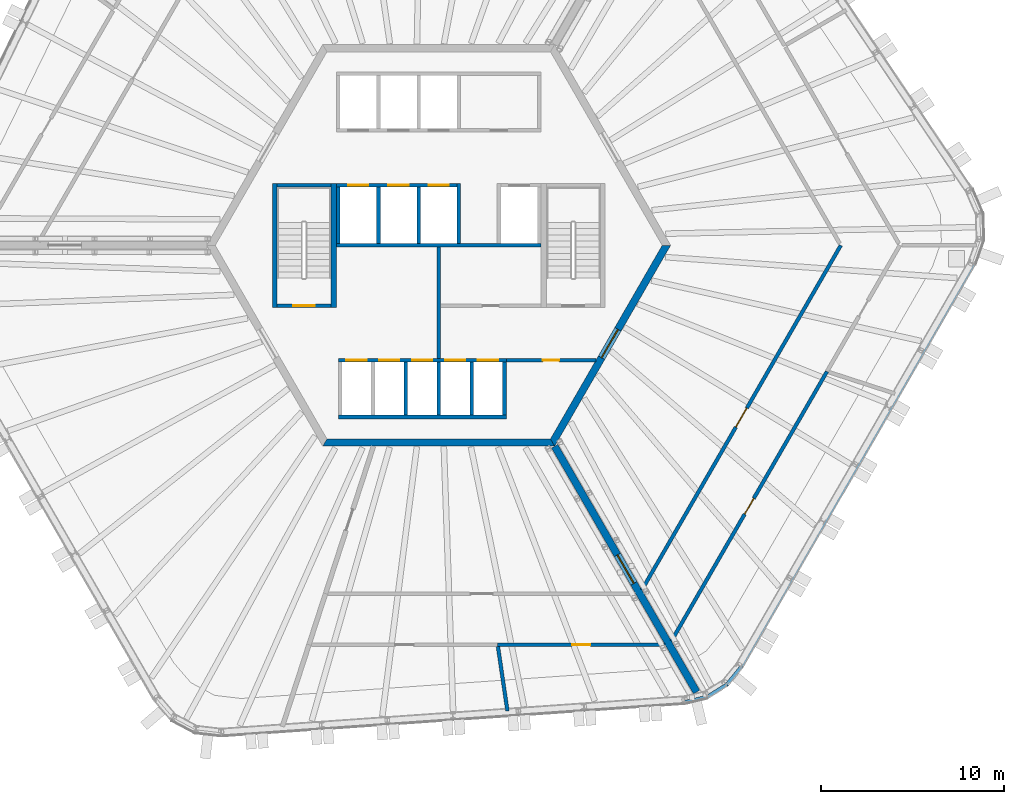
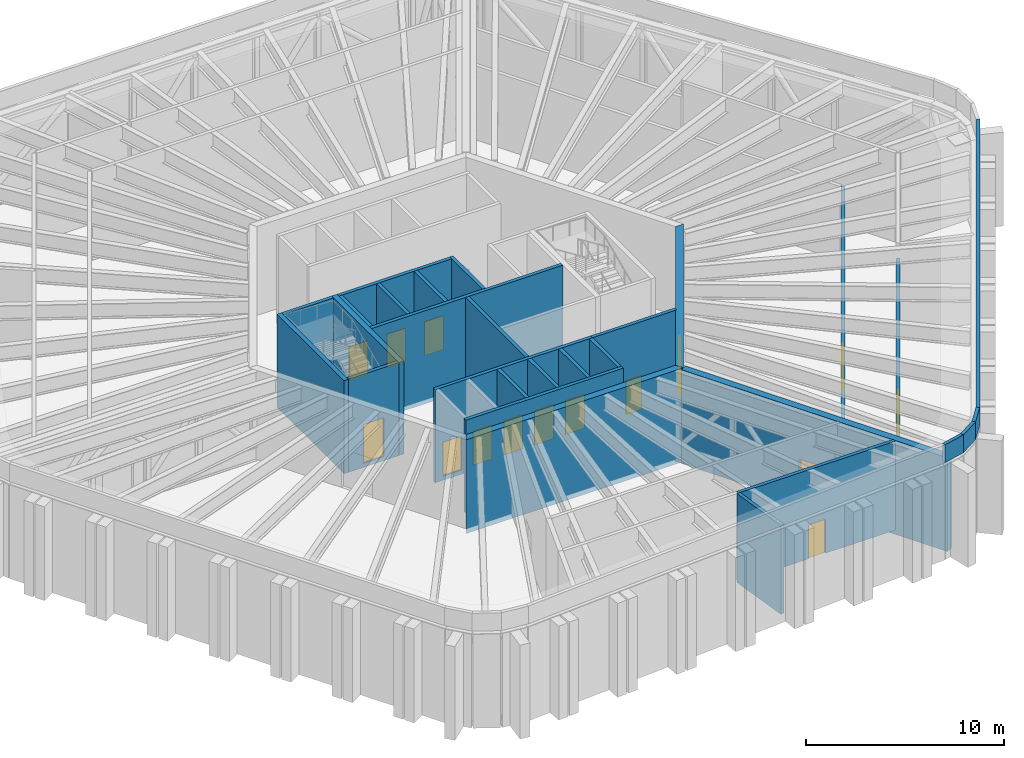
# One storey, part 10 of 19: 29 walls, 15 doors, 15 openings.
"""IFC4 building model written with IfcOpenShell, lengths in metres."""

from ifc_helpers import new_model, si_unit, direction, frame, frame_2d, origin, place, context, subcontext, project, spatial, polyline, rectangle, outline, extrude, material, layer, layer_set, type_object, element, fill, save


model = new_model("IFC4")

# Units and contexts
model_context = context("Model", 3, precision=1e-05, world=origin(), true_north=direction((0.0, 1.0)))
body_context = subcontext(model_context, "Body", "Model", "MODEL_VIEW")
ifc_project = project(units=[si_unit("LENGTHUNIT", "METRE"), si_unit("AREAUNIT", "SQUARE_METRE"), si_unit("VOLUMEUNIT", "CUBIC_METRE"), si_unit("PLANEANGLEUNIT", "RADIAN"), si_unit("MASSUNIT", "GRAM", prefix="KILO")], contexts=[model_context])

# Site, building, storey
site_placement = place(None, origin())
site = spatial("IfcSite", under=ifc_project, at=site_placement, CompositionType="ELEMENT")
building_placement = place(site_placement, origin())
building = spatial("IfcBuilding", under=site, at=building_placement, Name="Tarnside Tower", CompositionType="ELEMENT")
storey_placement = place(building_placement, frame((0.0, 0.0, 343.5)))
storey = spatial("IfcBuildingStorey", under=building, at=storey_placement, Name="L83", CompositionType="ELEMENT", Elevation=343.5)

# Wall
ifc_material_1 = material(Name="Concrete C40/50", Category="concrete")
ifc_layer_1 = layer(ifc_material_1, 0.199951171875)
ifc_layer_set_1 = layer_set([ifc_layer_1], Name="Core room partition 200 C40/50")
wall_type_1 = type_object("IfcWallType", Name="Core room partition 200 C40/50", PredefinedType="PARTITIONING", material=ifc_layer_set_1)
wall_1_placement = place(storey_placement, frame((0.0, -6.199951171875, 0.0), z_axis=(0.0, 0.0, 1.0), x_axis=(0.0, 1.0, 0.0)))
element("IfcWall", 1, at=wall_1_placement, inside=storey, type_object=wall_type_1, Name="L83 core partition X0", PredefinedType="PARTITIONING", context=body_context, shape_type="SweptSolid", body=[
    extrude(rectangle(XDim=6.099853515625, YDim=0.199951171875, at=frame_2d((3.0498046875, 0.0))), origin(), (0.0, 0.0, 1.0), 5.5),
])

# Wall, opening, door
wall_2_placement = place(storey_placement, frame((3.699951171875, -6.300048828125, 0.0), z_axis=(0.0, 0.0, 1.0), x_axis=(1.0, 0.0, 0.0)))
wall_2 = element("IfcWall", 2, at=wall_2_placement, inside=storey, type_object=wall_type_1, Name="L83 core partition R4X", PredefinedType="PARTITIONING", context=body_context, shape_type="SweptSolid", body=[
    extrude(rectangle(XDim=4.902587890625, YDim=0.199951171875, at=frame_2d((2.451171875, 0.0))), origin(), (0.0, 0.0, 1.0), 5.5),
])
opening_1_placement = place(wall_2_placement, frame((2.001220703125, 0.0, 0.0)))
opening_1 = element("IfcOpeningElement", 3, at=opening_1_placement, cuts=wall_2, Name="Opening CD-room", PredefinedType="OPENING", context=body_context, shape_type="SweptSolid", body=[
    extrude(rectangle(XDim=0.89990234375, YDim=2.10009765625, at=frame_2d((0.449951171875, 1.050048828125))), frame((0.0, 0.10986328125, 0.0), z_axis=(0.0, -1.0, 0.0), x_axis=(1.0, 0.0, 0.0)), (0.0, 0.0, 1.0), 0.219970703125),
])
ifc_material_2 = material(Name="Steel fire door", Category="steel")
door_type_1 = type_object("IfcDoorType", Name="Room door FD60 900x2100", OperationType="NOTDEFINED", PredefinedType="DOOR", material=ifc_material_2)
door_1_placement = place(opening_1_placement, origin())
door_1 = element("IfcDoor", 4, at=door_1_placement, inside=storey, type_object=door_type_1, Name="L83 core room door RX", OperationType="SINGLE_SWING_LEFT", OverallHeight=2.10009765625, OverallWidth=0.89990234375, PredefinedType="DOOR", context=body_context, shape_type="SweptSolid", body=[
    extrude(rectangle(XDim=0.89990234375, YDim=2.10009765625, at=frame_2d((0.449951171875, 1.050048828125))), frame((0.0, 0.02490234375, 0.0), z_axis=(0.0, -1.0, 0.0), x_axis=(1.0, 0.0, 0.0)), (0.0, 0.0, 1.0), 0.050048828125),
])
fill(opening_1, door_1)

# Wall
ifc_material_3 = material(Name="Concrete C60/75", Category="concrete")
ifc_layer_2 = layer(ifc_material_3, 0.39990234375)
ifc_layer_set_2 = layer_set([ifc_layer_2], Name="Core wall Z3 400 C60/75")
wall_type_2 = type_object("IfcWallType", Name="Core wall Z3 400 C60/75", PredefinedType="SHEAR", material=ifc_layer_set_2)
wall_3_placement = place(storey_placement, frame((-6.2353515625, -10.800048828125, -0.300048828125), z_axis=(0.0, 0.0, 1.0), x_axis=(1.0, 0.0, 0.0)))
element("IfcWall", 5, at=wall_3_placement, inside=storey, type_object=wall_type_2, Name="L83 core wall face 4", PredefinedType="SHEAR", context=body_context, shape_type="SweptSolid", body=[
    extrude(outline(polyline([(-0.115478515625, -0.199951171875), (12.586181640625, -0.199951171875), (12.355224609375, 0.199951171875), (0.115478515625, 0.199951171875), (-0.115478515625, -0.199951171875)])), origin(), (0.0, 0.0, 1.0), 5.800048828125),
])

# Wall, opening, door
wall_4_placement = place(storey_placement, frame((6.2353515625, -10.800048828125, -0.300048828125), z_axis=(0.0, 0.0, 1.0), x_axis=(0.499996419489, 0.866027470984, 0.0)))
wall_4 = element("IfcWall", 6, at=wall_4_placement, inside=storey, type_object=wall_type_2, Name="L83 core wall face 5", PredefinedType="SHEAR", context=body_context, shape_type="SweptSolid", body=[
    extrude(outline(polyline([(-0.115478515625, -0.199951171875), (12.586181640625, -0.199951171875), (12.355224609375, 0.199951171875), (0.115478515625, 0.199951171875), (-0.115478515625, -0.199951171875)])), origin(), (0.0, 0.0, 1.0), 5.800048828125),
])
opening_2_placement = place(wall_4_placement, frame((5.3642578125, 0.0, 0.300048828125)))
opening_2 = element("IfcOpeningElement", 7, at=opening_2_placement, cuts=wall_4, Name="Opening CD-FFL", PredefinedType="OPENING", context=body_context, shape_type="SweptSolid", body=[
    extrude(rectangle(XDim=1.800048828125, YDim=2.39990234375, at=frame_2d((0.89990234375, 1.199951171875))), frame((0.0, 0.2099609375, 0.0), z_axis=(0.0, -1.0, 0.0), x_axis=(1.0, 0.0, 0.0)), (0.0, 0.0, 1.0), 0.419921875),
])
door_type_2 = type_object("IfcDoorType", Name="Firefighting lobby double door FD60S 1800x2400", OperationType="NOTDEFINED", PredefinedType="DOOR", material=ifc_material_2)
door_2_placement = place(opening_2_placement, origin())
door_2 = element("IfcDoor", 8, at=door_2_placement, inside=storey, type_object=door_type_2, Name="L83 core door P4", OperationType="DOUBLE_DOOR_SINGLE_SWING", OverallHeight=2.39990234375, OverallWidth=1.800048828125, PredefinedType="DOOR", context=body_context, shape_type="SweptSolid", body=[
    extrude(rectangle(XDim=1.800048828125, YDim=2.39990234375, at=frame_2d((0.89990234375, 1.199951171875))), frame((0.0, 0.02490234375, 0.0), z_axis=(0.0, -1.0, 0.0), x_axis=(1.0, 0.0, 0.0)), (0.0, 0.0, 1.0), 0.050048828125),
])
fill(opening_2, door_2)

wall_5_placement = place(storey_placement, frame((6.350830078125, -11.0, -0.300048828125), z_axis=(0.0, 0.0, 1.0), x_axis=(0.499998894578, -0.866026041999, 0.0)))
wall_5 = element("IfcWall", 9, at=wall_5_placement, inside=storey, type_object=wall_type_2, Name="L83 spine wall 3", PredefinedType="SHEAR", context=body_context, shape_type="SweptSolid", body=[
    extrude(rectangle(XDim=15.54443359375, YDim=0.39990234375, at=frame_2d((7.772216796875, 0.0))), origin(), (0.0, 0.0, 1.0), 5.800048828125),
])
opening_3_placement = place(wall_5_placement, frame((6.872314453125, 0.0, 0.300048828125)))
opening_3 = element("IfcOpeningElement", 10, at=opening_3_placement, cuts=wall_5, Name="Opening CD-SPN", PredefinedType="OPENING", context=body_context, shape_type="SweptSolid", body=[
    extrude(rectangle(XDim=1.800048828125, YDim=2.39990234375, at=frame_2d((0.89990234375, 1.199951171875))), frame((0.0, 0.2099609375, 0.0), z_axis=(0.0, -1.0, 0.0), x_axis=(1.0, 0.0, 0.0)), (0.0, 0.0, 1.0), 0.419921875),
])
door_type_3 = type_object("IfcDoorType", Name="Spine passage double door FD60 1800x2400", OperationType="NOTDEFINED", PredefinedType="DOOR", material=ifc_material_2)
door_3_placement = place(opening_3_placement, origin())
door_3 = element("IfcDoor", 11, at=door_3_placement, inside=storey, type_object=door_type_3, Name="L83 spine passage door 3", OperationType="DOUBLE_DOOR_SINGLE_SWING", OverallHeight=2.39990234375, OverallWidth=1.800048828125, PredefinedType="DOOR", context=body_context, shape_type="SweptSolid", body=[
    extrude(rectangle(XDim=1.800048828125, YDim=2.39990234375, at=frame_2d((0.89990234375, 1.199951171875))), frame((0.0, 0.02490234375, 0.0), z_axis=(0.0, -1.0, 0.0), x_axis=(1.0, 0.0, 0.0)), (0.0, 0.0, 1.0), 0.050048828125),
])
fill(opening_3, door_3)

# Wall, openings, doors
ifc_layer_3 = layer(ifc_material_1, 0.199951171875)
ifc_layer_set_3 = layer_set([ifc_layer_3], Name="Lift shaft wall 200 C40/50")
wall_type_3 = type_object("IfcWallType", Name="Lift shaft wall 200 C40/50", PredefinedType="SHEAR", material=ifc_layer_set_3)
wall_6_placement = place(storey_placement, frame((-5.60009765625, 3.300048828125, -0.25), z_axis=(0.0, 0.0, 1.0), x_axis=(1.0, 0.0, 0.0)))
wall_6 = element("IfcWall", 12, at=wall_6_placement, inside=storey, type_object=wall_type_3, Name="L83 lift shaft front wall R2", PredefinedType="SHEAR", context=body_context, shape_type="SweptSolid", body=[
    extrude(rectangle(XDim=6.60009765625, YDim=0.199951171875, at=frame_2d((3.300048828125, 0.0))), origin(), (0.0, 0.0, 1.0), 5.75),
])
opening_4_placement = place(wall_6_placement, frame((0.64990234375, 0.0, 0.25)))
opening_4 = element("IfcOpeningElement", 13, at=opening_4_placement, cuts=wall_6, Name="Opening LD", PredefinedType="OPENING", context=body_context, shape_type="SweptSolid", body=[
    extrude(rectangle(XDim=1.10009765625, YDim=2.10009765625, at=frame_2d((0.550048828125, 1.050048828125))), frame((0.0, 0.10986328125, 0.0), z_axis=(0.0, -1.0, 0.0), x_axis=(1.0, 0.0, 0.0)), (0.0, 0.0, 1.0), 0.219970703125),
])
opening_5_placement = place(wall_6_placement, frame((2.85009765625, 0.0, 0.25)))
opening_5 = element("IfcOpeningElement", 14, at=opening_5_placement, cuts=wall_6, Name="Opening LD", PredefinedType="OPENING", context=body_context, shape_type="SweptSolid", body=[
    extrude(rectangle(XDim=1.10009765625, YDim=2.10009765625, at=frame_2d((0.550048828125, 1.050048828125))), frame((0.0, 0.10986328125, 0.0), z_axis=(0.0, -1.0, 0.0), x_axis=(1.0, 0.0, 0.0)), (0.0, 0.0, 1.0), 0.219970703125),
])
opening_6_placement = place(wall_6_placement, frame((5.050048828125, 0.0, 0.25)))
opening_6 = element("IfcOpeningElement", 15, at=opening_6_placement, cuts=wall_6, Name="Opening LD", PredefinedType="OPENING", context=body_context, shape_type="SweptSolid", body=[
    extrude(rectangle(XDim=1.10009765625, YDim=2.10009765625, at=frame_2d((0.550048828125, 1.050048828125))), frame((0.0, 0.10986328125, 0.0), z_axis=(0.0, -1.0, 0.0), x_axis=(1.0, 0.0, 0.0)), (0.0, 0.0, 1.0), 0.219970703125),
])
ifc_material_4 = material(Name="Stainless steel", Category="steel")
door_type_4 = type_object("IfcDoorType", Name="Lift landing door 1100x2100", OperationType="NOTDEFINED", PredefinedType="DOOR", material=ifc_material_4)
door_4_placement = place(opening_4_placement, origin())
door_4 = element("IfcDoor", 16, at=door_4_placement, inside=storey, type_object=door_type_4, Name="High-rise lift 4 landing door L83", OperationType="SLIDING_TO_LEFT", OverallHeight=2.10009765625, OverallWidth=1.10009765625, PredefinedType="DOOR", context=body_context, shape_type="SweptSolid", body=[
    extrude(rectangle(XDim=1.10009765625, YDim=2.10009765625, at=frame_2d((0.550048828125, 1.050048828125))), frame((0.0, 0.02490234375, 0.0), z_axis=(0.0, -1.0, 0.0), x_axis=(1.0, 0.0, 0.0)), (0.0, 0.0, 1.0), 0.050048828125),
])
fill(opening_4, door_4)
door_5_placement = place(opening_5_placement, origin())
door_5 = element("IfcDoor", 17, at=door_5_placement, inside=storey, type_object=door_type_4, Name="High-rise lift 5 landing door L83", OperationType="SLIDING_TO_LEFT", OverallHeight=2.10009765625, OverallWidth=1.10009765625, PredefinedType="DOOR", context=body_context, shape_type="SweptSolid", body=[
    extrude(rectangle(XDim=1.10009765625, YDim=2.10009765625, at=frame_2d((0.550048828125, 1.050048828125))), frame((0.0, 0.02490234375, 0.0), z_axis=(0.0, -1.0, 0.0), x_axis=(1.0, 0.0, 0.0)), (0.0, 0.0, 1.0), 0.050048828125),
])
fill(opening_5, door_5)
door_6_placement = place(opening_6_placement, origin())
door_6 = element("IfcDoor", 18, at=door_6_placement, inside=storey, type_object=door_type_4, Name="High-rise lift 6 landing door L83", OperationType="SLIDING_TO_LEFT", OverallHeight=2.10009765625, OverallWidth=1.10009765625, PredefinedType="DOOR", context=body_context, shape_type="SweptSolid", body=[
    extrude(rectangle(XDim=1.10009765625, YDim=2.10009765625, at=frame_2d((0.550048828125, 1.050048828125))), frame((0.0, 0.02490234375, 0.0), z_axis=(0.0, -1.0, 0.0), x_axis=(1.0, 0.0, 0.0)), (0.0, 0.0, 1.0), 0.050048828125),
])
fill(opening_6, door_6)

# Walls
wall_7_placement = place(storey_placement, frame((-5.60009765625, 0.0, -0.25), z_axis=(0.0, 0.0, 1.0), x_axis=(1.0, 0.0, 0.0)))
element("IfcWall", 19, at=wall_7_placement, inside=storey, type_object=wall_type_3, Name="L83 lift shaft back wall R2", PredefinedType="SHEAR", context=body_context, shape_type="SweptSolid", body=[
    extrude(rectangle(XDim=11.2001953125, YDim=0.199951171875, at=frame_2d((5.60009765625, 0.0))), origin(), (0.0, 0.0, 1.0), 5.75),
])
for number, where, z_axis, x_axis, name in (
    (20, (-5.5, 0.10009765625, -0.25), (0.0, 0.0, 1.0), (0.0, 1.0, 0.0), "L83 lift shaft partition R21"),
    (21, (-3.300048828125, 0.10009765625, -0.25), (0.0, 0.0, 1.0), (0.0, 1.0, 0.0), "L83 lift shaft partition R22"),
    (22, (-1.10009765625, 0.10009765625, -0.25), (0.0, 0.0, 1.0), (0.0, 1.0, 0.0), "L83 lift shaft partition R23"),
):
    element("IfcWall", number, at=place(storey_placement, frame(where, z_axis=z_axis, x_axis=x_axis)), inside=storey, type_object=wall_type_3, Name=name, PredefinedType="SHEAR", context=body_context, shape_type="SweptSolid", body=[
        extrude(rectangle(XDim=3.099853515625, YDim=0.199951171875, at=frame_2d((1.5498046875, 0.0))), origin(), (0.0, 0.0, 1.0), 5.75),
    ])
wall_8_placement = place(storey_placement, frame((1.10009765625, 0.10009765625, -0.25), z_axis=(0.0, 0.0, 1.0), x_axis=(0.0, 1.0, 0.0)))
element("IfcWall", 23, at=wall_8_placement, inside=storey, type_object=wall_type_3, Name="L83 lift shaft partition R24", PredefinedType="SHEAR", context=body_context, shape_type="SweptSolid", body=[
    extrude(rectangle(XDim=3.2998046875, YDim=0.199951171875, at=frame_2d((1.64990234375, 0.0))), origin(), (0.0, 0.0, 1.0), 5.75),
])

# Wall, openings, doors
wall_9_placement = place(storey_placement, frame((-5.5, -6.300048828125, -0.25), z_axis=(0.0, 0.0, 1.0), x_axis=(1.0, 0.0, 0.0)))
wall_9 = element("IfcWall", 24, at=wall_9_placement, inside=storey, type_object=wall_type_3, Name="L83 lift shaft front wall R4", PredefinedType="SHEAR", context=body_context, shape_type="SweptSolid", body=[
    extrude(rectangle(XDim=9.199951171875, YDim=0.199951171875, at=frame_2d((4.60009765625, 0.0))), origin(), (0.0, 0.0, 1.0), 5.75),
])
opening_7_placement = place(wall_9_placement, frame((0.449951171875, 0.0, 0.25)))
opening_7 = element("IfcOpeningElement", 25, at=opening_7_placement, cuts=wall_9, Name="Opening LDF", PredefinedType="OPENING", context=body_context, shape_type="SweptSolid", body=[
    extrude(rectangle(XDim=1.10009765625, YDim=2.10009765625, at=frame_2d((0.550048828125, 1.050048828125))), frame((0.0, 0.10986328125, 0.0), z_axis=(0.0, -1.0, 0.0), x_axis=(1.0, 0.0, 0.0)), (0.0, 0.0, 1.0), 0.219970703125),
])
opening_8_placement = place(wall_9_placement, frame((2.25, 0.0, 0.25)))
opening_8 = element("IfcOpeningElement", 26, at=opening_8_placement, cuts=wall_9, Name="Opening LDF", PredefinedType="OPENING", context=body_context, shape_type="SweptSolid", body=[
    extrude(rectangle(XDim=1.10009765625, YDim=2.10009765625, at=frame_2d((0.550048828125, 1.050048828125))), frame((0.0, 0.10986328125, 0.0), z_axis=(0.0, -1.0, 0.0), x_axis=(1.0, 0.0, 0.0)), (0.0, 0.0, 1.0), 0.219970703125),
])
opening_9_placement = place(wall_9_placement, frame((4.050048828125, 0.0, 0.25)))
opening_9 = element("IfcOpeningElement", 27, at=opening_9_placement, cuts=wall_9, Name="Opening LDF", PredefinedType="OPENING", context=body_context, shape_type="SweptSolid", body=[
    extrude(rectangle(XDim=1.10009765625, YDim=2.10009765625, at=frame_2d((0.550048828125, 1.050048828125))), frame((0.0, 0.10986328125, 0.0), z_axis=(0.0, -1.0, 0.0), x_axis=(1.0, 0.0, 0.0)), (0.0, 0.0, 1.0), 0.219970703125),
])
opening_10_placement = place(wall_9_placement, frame((5.85009765625, 0.0, 0.25)))
opening_10 = element("IfcOpeningElement", 28, at=opening_10_placement, cuts=wall_9, Name="Opening LDF", PredefinedType="OPENING", context=body_context, shape_type="SweptSolid", body=[
    extrude(rectangle(XDim=1.10009765625, YDim=2.10009765625, at=frame_2d((0.550048828125, 1.050048828125))), frame((0.0, 0.10986328125, 0.0), z_axis=(0.0, -1.0, 0.0), x_axis=(1.0, 0.0, 0.0)), (0.0, 0.0, 1.0), 0.219970703125),
])
opening_11_placement = place(wall_9_placement, frame((7.64990234375, 0.0, 0.25)))
opening_11 = element("IfcOpeningElement", 29, at=opening_11_placement, cuts=wall_9, Name="Opening LDF", PredefinedType="OPENING", context=body_context, shape_type="SweptSolid", body=[
    extrude(rectangle(XDim=1.10009765625, YDim=2.10009765625, at=frame_2d((0.550048828125, 1.050048828125))), frame((0.0, 0.10986328125, 0.0), z_axis=(0.0, -1.0, 0.0), x_axis=(1.0, 0.0, 0.0)), (0.0, 0.0, 1.0), 0.219970703125),
])
door_type_5 = type_object("IfcDoorType", Name="Lift landing door 1100x2100 EI 120", OperationType="NOTDEFINED", PredefinedType="DOOR", material=ifc_material_4)
door_7_placement = place(opening_7_placement, origin())
door_7 = element("IfcDoor", 30, at=door_7_placement, inside=storey, type_object=door_type_5, Name="Firefighting lift 1 landing door L83", OperationType="SLIDING_TO_LEFT", OverallHeight=2.10009765625, OverallWidth=1.10009765625, PredefinedType="DOOR", context=body_context, shape_type="SweptSolid", body=[
    extrude(rectangle(XDim=1.10009765625, YDim=2.10009765625, at=frame_2d((0.550048828125, 1.050048828125))), frame((0.0, 0.02490234375, 0.0), z_axis=(0.0, -1.0, 0.0), x_axis=(1.0, 0.0, 0.0)), (0.0, 0.0, 1.0), 0.050048828125),
])
fill(opening_7, door_7)
door_8_placement = place(opening_8_placement, origin())
door_8 = element("IfcDoor", 31, at=door_8_placement, inside=storey, type_object=door_type_5, Name="Firefighting lift 2 landing door L83", OperationType="SLIDING_TO_LEFT", OverallHeight=2.10009765625, OverallWidth=1.10009765625, PredefinedType="DOOR", context=body_context, shape_type="SweptSolid", body=[
    extrude(rectangle(XDim=1.10009765625, YDim=2.10009765625, at=frame_2d((0.550048828125, 1.050048828125))), frame((0.0, 0.02490234375, 0.0), z_axis=(0.0, -1.0, 0.0), x_axis=(1.0, 0.0, 0.0)), (0.0, 0.0, 1.0), 0.050048828125),
])
fill(opening_8, door_8)
door_9_placement = place(opening_9_placement, origin())
door_9 = element("IfcDoor", 32, at=door_9_placement, inside=storey, type_object=door_type_5, Name="Firefighting lift 3 landing door L83", OperationType="SLIDING_TO_LEFT", OverallHeight=2.10009765625, OverallWidth=1.10009765625, PredefinedType="DOOR", context=body_context, shape_type="SweptSolid", body=[
    extrude(rectangle(XDim=1.10009765625, YDim=2.10009765625, at=frame_2d((0.550048828125, 1.050048828125))), frame((0.0, 0.02490234375, 0.0), z_axis=(0.0, -1.0, 0.0), x_axis=(1.0, 0.0, 0.0)), (0.0, 0.0, 1.0), 0.050048828125),
])
fill(opening_9, door_9)
door_10_placement = place(opening_10_placement, origin())
door_10 = element("IfcDoor", 33, at=door_10_placement, inside=storey, type_object=door_type_5, Name="Firefighting lift 4 landing door L83", OperationType="SLIDING_TO_LEFT", OverallHeight=2.10009765625, OverallWidth=1.10009765625, PredefinedType="DOOR", context=body_context, shape_type="SweptSolid", body=[
    extrude(rectangle(XDim=1.10009765625, YDim=2.10009765625, at=frame_2d((0.550048828125, 1.050048828125))), frame((0.0, 0.02490234375, 0.0), z_axis=(0.0, -1.0, 0.0), x_axis=(1.0, 0.0, 0.0)), (0.0, 0.0, 1.0), 0.050048828125),
])
fill(opening_10, door_10)
door_11_placement = place(opening_11_placement, origin())
door_11 = element("IfcDoor", 34, at=door_11_placement, inside=storey, type_object=door_type_5, Name="Firefighting lift 5 landing door L83", OperationType="SLIDING_TO_LEFT", OverallHeight=2.10009765625, OverallWidth=1.10009765625, PredefinedType="DOOR", context=body_context, shape_type="SweptSolid", body=[
    extrude(rectangle(XDim=1.10009765625, YDim=2.10009765625, at=frame_2d((0.550048828125, 1.050048828125))), frame((0.0, 0.02490234375, 0.0), z_axis=(0.0, -1.0, 0.0), x_axis=(1.0, 0.0, 0.0)), (0.0, 0.0, 1.0), 0.050048828125),
])
fill(opening_11, door_11)

# Walls
wall_10_placement = place(storey_placement, frame((-5.5, -9.39990234375, -0.25), z_axis=(0.0, 0.0, 1.0), x_axis=(1.0, 0.0, 0.0)))
element("IfcWall", 35, at=wall_10_placement, inside=storey, type_object=wall_type_3, Name="L83 lift shaft back wall R4", PredefinedType="SHEAR", context=body_context, shape_type="SweptSolid", body=[
    extrude(rectangle(XDim=9.199951171875, YDim=0.199951171875, at=frame_2d((4.60009765625, 0.0))), origin(), (0.0, 0.0, 1.0), 5.75),
])
for number, where, z_axis, x_axis, name in (
    (36, (-1.800048828125, -9.300048828125, -0.25), (0.0, 0.0, 1.0), (0.0, 1.0, 0.0), "L83 lift shaft partition R43"),
    (37, (0.0, -9.300048828125, -0.25), (0.0, 0.0, 1.0), (0.0, 1.0, 0.0), "L83 lift shaft partition R44"),
    (38, (1.800048828125, -9.300048828125, -0.25), (0.0, 0.0, 1.0), (0.0, 1.0, 0.0), "L83 lift shaft partition R45"),
    (39, (3.60009765625, -9.300048828125, -0.25), (0.0, 0.0, 1.0), (0.0, 1.0, 0.0), "L83 lift shaft partition R46"),
):
    element("IfcWall", number, at=place(storey_placement, frame(where, z_axis=z_axis, x_axis=x_axis)), inside=storey, type_object=wall_type_3, Name=name, PredefinedType="SHEAR", context=body_context, shape_type="SweptSolid", body=[
        extrude(rectangle(XDim=2.900146484375, YDim=0.199951171875, at=frame_2d((1.4501953125, 0.0))), origin(), (0.0, 0.0, 1.0), 5.75),
    ])
wall_11_placement = place(storey_placement, frame((-8.85009765625, 3.300048828125, -0.25), z_axis=(0.0, 0.0, 1.0), x_axis=(1.0, 0.0, 0.0)))
element("IfcWall", 40, at=wall_11_placement, inside=storey, type_object=wall_type_3, Name="L83 stair 2 enclosure cap wall n", PredefinedType="SHEAR", context=body_context, shape_type="SweptSolid", body=[
    extrude(rectangle(XDim=2.9501953125, YDim=0.199951171875, at=frame_2d((1.47509765625, 0.0))), origin(), (0.0, 0.0, 1.0), 5.75),
])

# Wall, opening, door
wall_12_placement = place(storey_placement, frame((-8.85009765625, -3.300048828125, -0.25), z_axis=(0.0, 0.0, 1.0), x_axis=(1.0, 0.0, 0.0)))
wall_12 = element("IfcWall", 41, at=wall_12_placement, inside=storey, type_object=wall_type_3, Name="L83 stair 2 enclosure cap wall s", PredefinedType="SHEAR", context=body_context, shape_type="SweptSolid", body=[
    extrude(rectangle(XDim=2.9501953125, YDim=0.199951171875, at=frame_2d((1.47509765625, 0.0))), origin(), (0.0, 0.0, 1.0), 5.75),
])
opening_12_placement = place(wall_12_placement, frame((0.875, 0.0, 0.25)))
opening_12 = element("IfcOpeningElement", 42, at=opening_12_placement, cuts=wall_12, Name="Opening CD-STR", PredefinedType="OPENING", context=body_context, shape_type="SweptSolid", body=[
    extrude(rectangle(XDim=1.199951171875, YDim=2.39990234375, at=frame_2d((0.60009765625, 1.199951171875))), frame((0.0, 0.10986328125, 0.0), z_axis=(0.0, -1.0, 0.0), x_axis=(1.0, 0.0, 0.0)), (0.0, 0.0, 1.0), 0.219970703125),
])
door_type_6 = type_object("IfcDoorType", Name="Stair door FD60S 1200x2400", OperationType="NOTDEFINED", PredefinedType="DOOR", material=ifc_material_2)
door_12_placement = place(opening_12_placement, origin())
door_12 = element("IfcDoor", 43, at=door_12_placement, inside=storey, type_object=door_type_6, Name="L83 stair 2 door", OperationType="SINGLE_SWING_LEFT", OverallHeight=2.39990234375, OverallWidth=1.199951171875, PredefinedType="DOOR", context=body_context, shape_type="SweptSolid", body=[
    extrude(rectangle(XDim=1.199951171875, YDim=2.39990234375, at=frame_2d((0.60009765625, 1.199951171875))), frame((0.0, 0.02490234375, 0.0), z_axis=(0.0, -1.0, 0.0), x_axis=(1.0, 0.0, 0.0)), (0.0, 0.0, 1.0), 0.050048828125),
])
fill(opening_12, door_12)

# Walls
ifc_material_5 = material(Name="Concrete C35/45 precast", Category="concrete")
ifc_layer_4 = layer(ifc_material_5, 0.199951171875)
ifc_layer_set_4 = layer_set([ifc_layer_4], Name="Parapet 200 x 1100")
wall_type_4 = type_object("IfcWallType", Name="Parapet 200 x 1100", PredefinedType="PARAPET", material=ifc_layer_set_4)
wall_13_placement = place(storey_placement, frame((29.299072265625, -1.052734375, 5.699951171875), z_axis=(0.0, 0.0, 1.0), x_axis=(-0.500002269237, -0.866024093636, 0.0)))
element("IfcWall", 44, at=wall_13_placement, inside=storey, type_object=wall_type_4, Name="Roof parapet 08", PredefinedType="PARAPET", context=body_context, shape_type="SweptSolid", body=[
    extrude(outline(polyline([(0.00927734375, -0.10009765625), (25.419189453125, -0.10009765625), (25.435302734375, 0.10009765625), (-0.00927734375, 0.10009765625), (0.00927734375, -0.10009765625)])), origin(), (0.0, 0.0, 1.0), 1.10009765625),
])
wall_14_placement = place(storey_placement, frame((16.58544921875, -23.0732421875, 5.699951171875), z_axis=(0.0, 0.0, 1.0), x_axis=(-0.633843327274, -0.773461464114, 0.0)))
element("IfcWall", 45, at=wall_14_placement, inside=storey, type_object=wall_type_4, Name="Roof parapet 09", PredefinedType="PARAPET", context=body_context, shape_type="SweptSolid", body=[
    extrude(outline(polyline([(0.008056640625, -0.10009765625), (1.256591796875, -0.10009765625), (1.289306640625, 0.10009765625), (-0.008056640625, 0.10009765625), (0.008056640625, -0.10009765625)])), origin(), (0.0, 0.0, 1.0), 1.10009765625),
])
wall_15_placement = place(storey_placement, frame((15.778564453125, -24.057861328125, 5.699951171875), z_axis=(0.0, 0.0, 1.0), x_axis=(-0.847998304005, -0.529998940003, 0.0)))
element("IfcWall", 46, at=wall_15_placement, inside=storey, type_object=wall_type_4, Name="Roof parapet 10", PredefinedType="PARAPET", context=body_context, shape_type="SweptSolid", body=[
    extrude(outline(polyline([(0.016357421875, -0.10009765625), (1.248046875, -0.10009765625), (1.28076171875, 0.10009765625), (-0.016357421875, 0.10009765625), (0.016357421875, -0.10009765625)])), origin(), (0.0, 0.0, 1.0), 1.10009765625),
])
wall_16_placement = place(storey_placement, frame((14.706298828125, -24.72802734375, 5.699951171875), z_axis=(0.0, 0.0, 1.0), x_axis=(-0.97305877523, -0.230557194525, 0.0)))
element("IfcWall", 47, at=wall_16_placement, inside=storey, type_object=wall_type_4, Name="Roof parapet 11", PredefinedType="PARAPET", context=body_context, shape_type="SweptSolid", body=[
    extrude(outline(polyline([(0.016357421875, -0.10009765625), (1.2646484375, -0.10009765625), (1.28076171875, 0.10009765625), (-0.016357421875, 0.10009765625), (0.016357421875, -0.10009765625)])), origin(), (0.0, 0.0, 1.0), 1.10009765625),
])
ifc_layer_5 = layer(ifc_material_1, 0.25)
ifc_layer_set_5 = layer_set([ifc_layer_5], Name="Stair enclosure wall 250 C40/50")
wall_type_5 = type_object("IfcWallType", Name="Stair enclosure wall 250 C40/50", PredefinedType="SHEAR", material=ifc_layer_set_5)
wall_17_placement = place(storey_placement, frame((-8.97509765625, -3.39990234375, -0.25), z_axis=(0.0, 0.0, 1.0), x_axis=(0.0, 1.0, 0.0)))
element("IfcWall", 48, at=wall_17_placement, inside=storey, type_object=wall_type_5, Name="L83 stair 2 enclosure wall outer", PredefinedType="SHEAR", context=body_context, shape_type="SweptSolid", body=[
    extrude(rectangle(XDim=6.7998046875, YDim=0.25, at=frame_2d((3.39990234375, 0.0))), origin(), (0.0, 0.0, 1.0), 5.75),
])
ifc_layer_6 = layer(ifc_material_1, 0.300048828125)
ifc_layer_set_6 = layer_set([ifc_layer_6], Name="Stair enclosure wall 300 C40/50")
wall_type_6 = type_object("IfcWallType", Name="Stair enclosure wall 300 C40/50", PredefinedType="SHEAR", material=ifc_layer_set_6)
wall_18_placement = place(storey_placement, frame((-5.75, -3.39990234375, -0.25), z_axis=(0.0, 0.0, 1.0), x_axis=(0.0, 1.0, 0.0)))
element("IfcWall", 49, at=wall_18_placement, inside=storey, type_object=wall_type_6, Name="L83 stair 2 enclosure wall inner", PredefinedType="SHEAR", context=body_context, shape_type="SweptSolid", body=[
    extrude(rectangle(XDim=6.7998046875, YDim=0.300048828125, at=frame_2d((3.39990234375, 0.0))), origin(), (0.0, 0.0, 1.0), 5.75),
])

# Wall, opening, door
ifc_material_6 = material(Name="Concrete C32/40", Category="concrete")
ifc_layer_7 = layer(ifc_material_6, 0.199951171875)
ifc_layer_set_7 = layer_set([ifc_layer_7], Name="Wall 200 reinforced Concrete C32/40")
wall_type_7 = type_object("IfcWallType", Name="Wall 200 reinforced Concrete C32/40", PredefinedType="PARTITIONING", material=ifc_layer_set_7)
wall_19_placement = place(storey_placement, frame((12.39599609375, -21.8701171875, 0.0), z_axis=(0.0, 0.0, 1.0), x_axis=(-1.0, 0.0, 0.0)))
wall_19 = element("IfcWall", 50, at=wall_19_placement, inside=storey, type_object=wall_type_7, Name="Partition 011", PredefinedType="PARTITIONING", context=body_context, shape_type="SweptSolid", body=[
    extrude(rectangle(XDim=9.1669921875, YDim=0.199951171875, at=frame_2d((4.58349609375, 0.0))), origin(), (0.0, 0.0, 1.0), 5.5),
])
opening_13_placement = place(wall_19_placement, frame((4.08349609375, 0.0, 0.0)))
opening_13 = element("IfcOpeningElement", 51, at=opening_13_placement, cuts=wall_19, Name="Opening D1000F60", PredefinedType="OPENING", context=body_context, shape_type="SweptSolid", body=[
    extrude(rectangle(XDim=1.0, YDim=2.10009765625, at=frame_2d((0.5, 1.050048828125))), frame((0.0, 0.10986328125, 0.0), z_axis=(0.0, -1.0, 0.0), x_axis=(1.0, 0.0, 0.0)), (0.0, 0.0, 1.0), 0.219970703125),
])
ifc_material_7 = material(Name="Timber door leaf", Category="wood")
door_type_7 = type_object("IfcDoorType", Name="Door 1000 x 2100 single leaf FD60 fire door", OperationType="NOTDEFINED", PredefinedType="DOOR", material=ifc_material_7)
door_13_placement = place(opening_13_placement, origin())
door_13 = element("IfcDoor", 52, at=door_13_placement, inside=storey, type_object=door_type_7, Name="Door L83-07", OperationType="SINGLE_SWING_RIGHT", OverallHeight=2.10009765625, OverallWidth=1.0, PredefinedType="DOOR", context=body_context, shape_type="SweptSolid", body=[
    extrude(rectangle(XDim=1.0, YDim=2.10009765625, at=frame_2d((0.5, 1.050048828125))), frame((0.0, 0.02490234375, 0.0), z_axis=(0.0, -1.0, 0.0), x_axis=(1.0, 0.0, 0.0)), (0.0, 0.0, 1.0), 0.050048828125),
])
fill(opening_13, door_13)

# Wall
wall_20_placement = place(storey_placement, frame((3.76513671875, -25.498779296875, 0.0), z_axis=(0.0, 0.0, 1.0), x_axis=(-0.146124488578, 0.989266209793, 0.0)))
element("IfcWall", 53, at=wall_20_placement, inside=storey, type_object=wall_type_7, Name="Partition 012", PredefinedType="PARTITIONING", context=body_context, shape_type="SweptSolid", body=[
    extrude(rectangle(XDim=3.567138671875, YDim=0.199951171875, at=frame_2d((1.78369140625, 0.0))), origin(), (0.0, 0.0, 1.0), 5.5),
])

# Wall, opening, door
wall_21_placement = place(storey_placement, frame((11.1259765625, -18.8701171875, 0.0), z_axis=(0.0, 0.0, 1.0), x_axis=(0.499978511878, 0.866037809602, 0.0)))
wall_21 = element("IfcWall", 54, at=wall_21_placement, inside=storey, type_object=wall_type_7, Name="Partition 014", PredefinedType="PARTITIONING", context=body_context, shape_type="SweptSolid", body=[
    extrude(rectangle(XDim=21.7890625, YDim=0.199951171875, at=frame_2d((10.89453125, 0.0))), origin(), (0.0, 0.0, 1.0), 4.573486328125),
])
opening_14_placement = place(wall_21_placement, frame((10.29443359375, 0.0, 0.0)))
opening_14 = element("IfcOpeningElement", 55, at=opening_14_placement, cuts=wall_21, Name="Opening D1200F60", PredefinedType="OPENING", context=body_context, shape_type="SweptSolid", body=[
    extrude(rectangle(XDim=1.199951171875, YDim=2.10009765625, at=frame_2d((0.60009765625, 1.050048828125))), frame((0.0, 0.10986328125, 0.0), z_axis=(0.0, -1.0, 0.0), x_axis=(1.0, 0.0, 0.0)), (0.0, 0.0, 1.0), 0.219970703125),
])
door_type_8 = type_object("IfcDoorType", Name="Door 1200 x 2100 single leaf FD60 fire door", OperationType="NOTDEFINED", PredefinedType="DOOR", material=ifc_material_7)
door_14_placement = place(opening_14_placement, origin())
door_14 = element("IfcDoor", 56, at=door_14_placement, inside=storey, type_object=door_type_8, Name="Door L83-08", OperationType="SINGLE_SWING_LEFT", OverallHeight=2.10009765625, OverallWidth=1.199951171875, PredefinedType="DOOR", context=body_context, shape_type="SweptSolid", body=[
    extrude(rectangle(XDim=1.199951171875, YDim=2.10009765625, at=frame_2d((0.60009765625, 1.050048828125))), frame((0.0, 0.02490234375, 0.0), z_axis=(0.0, -1.0, 0.0), x_axis=(1.0, 0.0, 0.0)), (0.0, 0.0, 1.0), 0.050048828125),
])
fill(opening_14, door_14)

wall_22_placement = place(storey_placement, frame((21.263916015625, -6.908935546875, 0.0), z_axis=(0.0, 0.0, 1.0), x_axis=(-0.499987381101, -0.866032689187, 0.0)))
wall_22 = element("IfcWall", 57, at=wall_22_placement, inside=storey, type_object=wall_type_7, Name="Partition 016", PredefinedType="PARTITIONING", context=body_context, shape_type="SweptSolid", body=[
    extrude(rectangle(XDim=17.04443359375, YDim=0.199951171875, at=frame_2d((8.522216796875, 0.0))), origin(), (0.0, 0.0, 1.0), 4.573486328125),
])
opening_15_placement = place(wall_22_placement, frame((8.022216796875, 0.0, 0.0)))
opening_15 = element("IfcOpeningElement", 58, at=opening_15_placement, cuts=wall_22, Name="Opening D1000F60", PredefinedType="OPENING", context=body_context, shape_type="SweptSolid", body=[
    extrude(rectangle(XDim=1.0, YDim=2.10009765625, at=frame_2d((0.5, 1.050048828125))), frame((0.0, 0.10986328125, 0.0), z_axis=(0.0, -1.0, 0.0), x_axis=(1.0, 0.0, 0.0)), (0.0, 0.0, 1.0), 0.219970703125),
])
door_15_placement = place(opening_15_placement, origin())
door_15 = element("IfcDoor", 59, at=door_15_placement, inside=storey, type_object=door_type_7, Name="Door L83-10", OperationType="SINGLE_SWING_LEFT", OverallHeight=2.10009765625, OverallWidth=1.0, PredefinedType="DOOR", context=body_context, shape_type="SweptSolid", body=[
    extrude(rectangle(XDim=1.0, YDim=2.10009765625, at=frame_2d((0.5, 1.050048828125))), frame((0.0, 0.02490234375, 0.0), z_axis=(0.0, -1.0, 0.0), x_axis=(1.0, 0.0, 0.0)), (0.0, 0.0, 1.0), 0.050048828125),
])
fill(opening_15, door_15)

save(model, "model.ifc")
